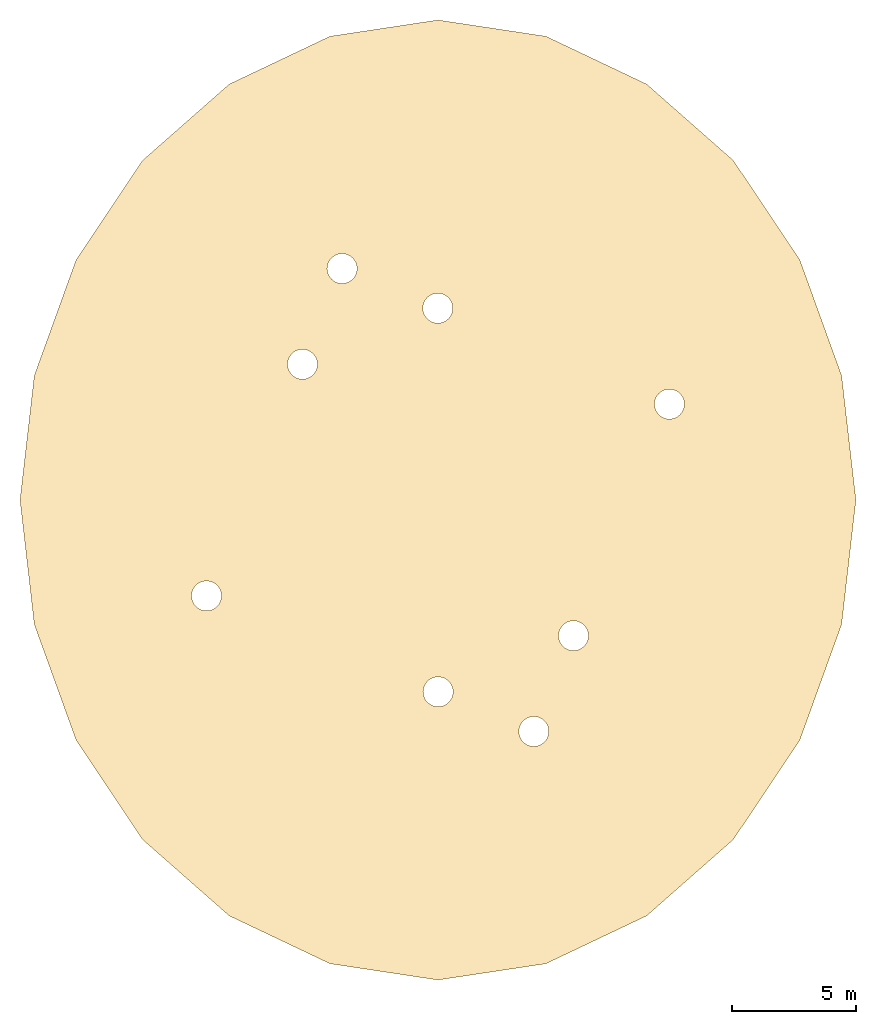
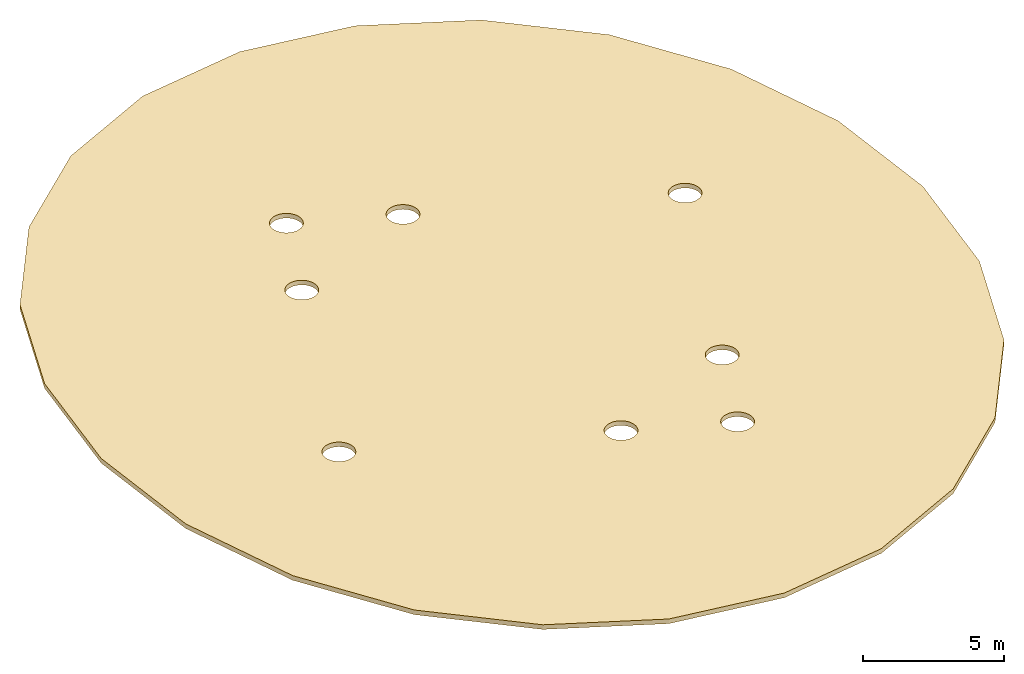
# One storey: 1 covering.
"""IFC4 building model written with IfcOpenShell, lengths in metres."""

import ifcopenshell
import ifcopenshell.guid

model = None  # the IFC model being written
_history = None  # IfcOwnerHistory: only IFC2X3 demands one
_inside = {}  # id of a spatial element -> (the spatial element, [elements in it])
_under = {}  # id of a project, library or spatial element -> (it, [spatial elements below it])
_declared = {}  # id of a project -> (the project, [libraries it declares])
_typed = {}  # id of a type object -> (the type object, [elements of that type])
_made_of = {}  # id of a material, layer set ... -> (it, [elements and type objects made of it])


def new_model(schema):
    """Start an empty IFC model of exactly this schema.

    Asked for "IFC4X3", IfcOpenShell would pick the latest addendum, in which some entities
    have other attributes; the version numbers below select the first issue.
    IFC2X3 requires an IfcOwnerHistory on every rooted entity: one is made here for all.
    """
    global model, _history
    if schema == "IFC4X3":
        model = ifcopenshell.file(schema_version=(4, 3, 0, 0))
    else:
        model = ifcopenshell.file(schema=schema)
    _inside.clear()
    _under.clear()
    _declared.clear()
    _typed.clear()
    _made_of.clear()
    _history = None
    if model.schema == "IFC2X3":
        org = make("IfcOrganization", Name="unknown")
        user = make(
            "IfcPersonAndOrganization",
            ThePerson=make("IfcPerson", FamilyName="unknown"),
            TheOrganization=org,
        )
        app = make(
            "IfcApplication",
            ApplicationDeveloper=org,
            Version="unknown",
            ApplicationFullName="unknown",
            ApplicationIdentifier="unknown",
        )
        _history = make(
            "IfcOwnerHistory",
            OwningUser=user,
            OwningApplication=app,
            ChangeAction="ADDED",
            CreationDate=0,
        )
    return model


def make(cls, **values):
    """One entity of the class cls with the attributes given. An attribute that is None is left unset."""
    return model.create_entity(
        cls, **{name: value for name, value in values.items() if value is not None}
    )


def rooted(cls, **values):
    """An entity with a GlobalId (a new one), such as an element, a storey or a relation."""
    return make(cls, GlobalId=ifcopenshell.guid.new(), OwnerHistory=_history, **values)


def si_unit(unit_type, name, prefix=None):
    """IfcSIUnit, for example si_unit("LENGTHUNIT", "METRE", prefix="MILLI")."""
    return make("IfcSIUnit", UnitType=unit_type, Prefix=prefix, Name=name)


def assignment(units):
    """IfcUnitAssignment: the units of a project."""
    return None if units is None else make("IfcUnitAssignment", Units=units)


def point(xyz):
    """IfcCartesianPoint."""
    return None if xyz is None else make("IfcCartesianPoint", Coordinates=xyz)


def direction(xyz):
    """IfcDirection."""
    return None if xyz is None else make("IfcDirection", DirectionRatios=xyz)


def frame(location, z_axis=None, x_axis=None):
    """IfcAxis2Placement3D, a coordinate frame: its origin and axes. An axis left out is left unset."""
    return make(
        "IfcAxis2Placement3D",
        Location=point(location),
        Axis=direction(z_axis),
        RefDirection=direction(x_axis),
    )


def origin():
    """The frame at (0, 0, 0) with its axes left unset."""
    return frame((0.0, 0.0, 0.0))


def place(relative_to, where):
    """IfcLocalPlacement: puts the frame where relative to a parent placement (None: the world)."""
    return make(
        "IfcLocalPlacement", PlacementRelTo=relative_to, RelativePlacement=where
    )


def context(
    kind, dimensions, precision=None, world=None, true_north=None, identifier=None
):
    """IfcGeometricRepresentationContext, for example the 3D "Model" context."""
    return make(
        "IfcGeometricRepresentationContext",
        ContextIdentifier=identifier,
        ContextType=kind,
        CoordinateSpaceDimension=dimensions,
        Precision=precision,
        WorldCoordinateSystem=world,
        TrueNorth=true_north,
    )


def subcontext(parent, identifier, kind, view, scale=None):
    """IfcGeometricRepresentationSubContext, for example "Body" below "Model"."""
    return make(
        "IfcGeometricRepresentationSubContext",
        ContextIdentifier=identifier,
        ContextType=kind,
        ParentContext=parent,
        TargetScale=scale,
        TargetView=view,
    )


def project(units=None, contexts=None):
    """IfcProject with its units and contexts."""
    return rooted(
        "IfcProject",
        Name="project",
        RepresentationContexts=contexts,
        UnitsInContext=assignment(units),
    )


def spatial(cls, under=None, at=None, **own):
    """A site, building, storey or space (cls), placed at a placement, below another one or the project."""
    s = rooted(cls, ObjectPlacement=at, **own)
    if under is not None:
        _under.setdefault(under.id(), (under, []))[1].append(s)
    return s


def polyline(points):
    """IfcPolyline through the points."""
    return make("IfcPolyline", Points=[point(p) for p in points])


def outline(outer, holes=None, kind="AREA"):
    """IfcArbitraryClosedProfileDef: a profile drawn as a closed curve; with holes, ...WithVoids."""
    if holes is None:
        return make("IfcArbitraryClosedProfileDef", ProfileType=kind, OuterCurve=outer)
    return make(
        "IfcArbitraryProfileDefWithVoids",
        ProfileType=kind,
        OuterCurve=outer,
        InnerCurves=holes,
    )


def extrude(swept, where, along, depth):
    """IfcExtrudedAreaSolid: the profile swept, set in the frame where, extruded along a direction by depth."""
    return make(
        "IfcExtrudedAreaSolid",
        SweptArea=swept,
        Position=where,
        ExtrudedDirection=direction(along),
        Depth=depth,
    )


def shape(context_of_items, identifier, shape_type, items):
    """IfcShapeRepresentation: the items that make up one representation, for example the "Body"."""
    return make(
        "IfcShapeRepresentation",
        ContextOfItems=context_of_items,
        RepresentationIdentifier=identifier,
        RepresentationType=shape_type,
        Items=items,
    )


def material(Name=None, Category=None):
    """IfcMaterial."""
    return make("IfcMaterial", Name=Name, Category=Category)


def layer(
    of_material, thickness, ventilated=None, Name=None, Category=None, Priority=None
):
    """IfcMaterialLayer: one layer of a wall or slab, of a material (None: an air gap)."""
    return make(
        "IfcMaterialLayer",
        Material=of_material,
        LayerThickness=thickness,
        IsVentilated=ventilated,
        Name=Name,
        Category=Category,
        Priority=Priority,
    )


def layer_set(layers, Name=None):
    """IfcMaterialLayerSet."""
    return make("IfcMaterialLayerSet", MaterialLayers=layers, LayerSetName=Name)


def made_of(thing, what):
    """Note that an element or type object is made of a material, layer set ...; save() writes the relation."""
    if what is not None:
        _made_of.setdefault(what.id(), (what, []))[1].append(thing)
    return thing


def type_object(cls, material=None, **own):
    """A type object (cls), such as IfcWallType, which elements share."""
    return made_of(rooted(cls, **own), material)


def element(
    cls,
    number,
    at=None,
    inside=None,
    cuts=None,
    type_object=None,
    material=None,
    context=None,
    identifier="Body",
    shape_type=None,
    held_by="IfcProductDefinitionShape",
    body=None,
    shapes=None,
    **own,
):
    """One element of the class cls, such as IfcWall. Its Tag is "e" and its number.

    at: its placement. inside: the storey or other place that contains it. cuts: it is an
    opening in that element (IfcRelVoidsElement). A single representation is given by context,
    identifier, shape_type and body (its items); several are given by shapes. held_by: the class
    of the entity that holds the representations. save() writes the other relations.
    """
    e = rooted(cls, Tag="e%d" % number, ObjectPlacement=at, **own)
    if body is not None:
        shapes = [shape(context, identifier, shape_type, body)]
    if shapes is not None:
        e.Representation = make(held_by, Representations=shapes)
    if inside is not None:
        _inside.setdefault(inside.id(), (inside, []))[1].append(e)
    if cuts is not None:
        rooted(
            "IfcRelVoidsElement", RelatingBuildingElement=cuts, RelatedOpeningElement=e
        )
    if type_object is not None:
        _typed.setdefault(type_object.id(), (type_object, []))[1].append(e)
    return made_of(e, material)


def aggregate(whole, parts):
    """IfcRelAggregates: a whole, such as a stair, and the parts it consists of."""
    return rooted("IfcRelAggregates", RelatingObject=whole, RelatedObjects=parts)


def save(model, path):
    """Write the relations noted so far, then the file.

    IfcRelAggregates (storeys below a building ...), IfcRelContainedInSpatialStructure (elements
    in a storey), IfcRelDefinesByType, IfcRelAssociatesMaterial and IfcRelDeclares: one each for
    every whole, place, type object, material and project.
    """
    for whole, parts in _under.values():
        aggregate(whole, parts)
    for where, things in _inside.values():
        rooted(
            "IfcRelContainedInSpatialStructure",
            RelatedElements=things,
            RelatingStructure=where,
        )
    for kind, things in _typed.values():
        rooted("IfcRelDefinesByType", RelatedObjects=things, RelatingType=kind)
    for what, things in _made_of.values():
        rooted("IfcRelAssociatesMaterial", RelatedObjects=things, RelatingMaterial=what)
    for by, libraries in _declared.values():
        rooted("IfcRelDeclares", RelatingContext=by, RelatedDefinitions=libraries)
    model.write(path)


model = new_model("IFC4")

# Units and contexts
model_context = context("Model", 3, precision=1e-05, world=origin(), true_north=direction((0.0, 1.0)))
body_context = subcontext(model_context, "Body", "Model", "MODEL_VIEW")
ifc_project = project(units=[si_unit("LENGTHUNIT", "METRE"), si_unit("AREAUNIT", "SQUARE_METRE"), si_unit("VOLUMEUNIT", "CUBIC_METRE"), si_unit("PLANEANGLEUNIT", "RADIAN"), si_unit("MASSUNIT", "GRAM", prefix="KILO")], contexts=[model_context])

# Site, building, storey
site_placement = place(None, origin())
site = spatial("IfcSite", under=ifc_project, at=site_placement, CompositionType="ELEMENT")
building_placement = place(site_placement, origin())
building = spatial("IfcBuilding", under=site, at=building_placement, Name="Nagisa Residences", CompositionType="ELEMENT")
storey_placement = place(building_placement, frame((0.0, 0.0, 360.0)))
storey = spatial("IfcBuildingStorey", under=building, at=storey_placement, Name="ROOF", CompositionType="ELEMENT", Elevation=360.0)

# Covering
ifc_material = material(Name="Standing-seam aluminium roofing", Category="aluminium")
ifc_layer = layer(ifc_material, 0.199951171875)
ifc_layer_set = layer_set([ifc_layer], Name="MAST HOUSE ROOFING")
covering_type = type_object("IfcCoveringType", Name="MAST HOUSE ROOFING", PredefinedType="ROOFING", material=ifc_layer_set)
covering_placement = place(storey_placement, frame((0.0, 0.0, -0.199951171875)))
element("IfcCovering", 1, at=covering_placement, inside=storey, type_object=covering_type, Name="covering:L84:masthouse", PredefinedType="ROOFING", context=body_context, shape_type="SweptSolid", body=[
    extrude(outline(polyline([(16.261962890625, -5.009765625), (14.57666015625, -9.67626953125), (11.89794921875, -13.680908203125), (8.409912109375, -16.7509765625), (4.35205078125, -18.678955078125), (0.0, -19.336181640625), (-4.35205078125, -18.678955078125), (-8.409912109375, -16.7509765625), (-11.89794921875, -13.680908203125), (-14.57666015625, -9.67626953125), (-16.261962890625, -5.009765625), (-16.8369140625, 0.0), (-16.261962890625, 5.009765625), (-14.57666015625, 9.67626953125), (-11.89794921875, 13.680908203125), (-8.409912109375, 16.7509765625), (-4.35205078125, 18.678955078125), (0.0, 19.336181640625), (4.35205078125, 18.678955078125), (8.409912109375, 16.7509765625), (11.89794921875, 13.680908203125), (14.57666015625, 9.67626953125), (16.261962890625, 5.009765625), (16.8369140625, 0.0), (16.261962890625, -5.009765625)]), holes=[polyline([(4.44140625, -9.478515625), (4.45654296875, -9.401611328125), (4.461669921875, -9.3232421875), (4.45654296875, -9.244873046875), (4.44140625, -9.16796875), (4.416015625, -9.093505859375), (4.38134765625, -9.023193359375), (4.337890625, -8.9580078125), (4.2861328125, -8.89892578125), (4.22705078125, -8.84716796875), (4.161865234375, -8.803466796875), (4.09130859375, -8.768798828125), (4.01708984375, -8.74365234375), (3.940185546875, -8.728271484375), (3.86181640625, -8.72314453125), (3.783447265625, -8.728271484375), (3.70654296875, -8.74365234375), (3.632080078125, -8.768798828125), (3.561767578125, -8.803466796875), (3.49658203125, -8.84716796875), (3.4375, -8.89892578125), (3.3857421875, -8.9580078125), (3.34228515625, -9.023193359375), (3.307373046875, -9.093505859375), (3.2822265625, -9.16796875), (3.266845703125, -9.244873046875), (3.26171875, -9.3232421875), (3.266845703125, -9.401611328125), (3.2822265625, -9.478515625), (3.307373046875, -9.552734375), (3.34228515625, -9.623291015625), (3.3857421875, -9.6884765625), (3.4375, -9.74755859375), (3.49658203125, -9.799072265625), (3.561767578125, -9.8427734375), (3.632080078125, -9.87744140625), (3.70654296875, -9.90283203125), (3.783447265625, -9.91796875), (3.86181640625, -9.923095703125), (3.940185546875, -9.91796875), (4.01708984375, -9.90283203125), (4.09130859375, -9.87744140625), (4.161865234375, -9.8427734375), (4.22705078125, -9.799072265625), (4.2861328125, -9.74755859375), (4.337890625, -9.6884765625), (4.38134765625, -9.623291015625), (4.416015625, -9.552734375), (4.44140625, -9.478515625)]), polyline([(0.586181640625, -7.881591796875), (0.6015625, -7.8046875), (0.606689453125, -7.726318359375), (0.6015625, -7.64794921875), (0.586181640625, -7.571044921875), (0.56103515625, -7.496826171875), (0.526123046875, -7.42626953125), (0.482666015625, -7.361083984375), (0.430908203125, -7.302001953125), (0.371826171875, -7.250244140625), (0.306640625, -7.206787109375), (0.236328125, -7.171875), (0.161865234375, -7.146728515625), (0.0849609375, -7.13134765625), (0.006591796875, -7.126220703125), (-0.07177734375, -7.13134765625), (-0.148681640625, -7.146728515625), (-0.222900390625, -7.171875), (-0.29345703125, -7.206787109375), (-0.358642578125, -7.250244140625), (-0.417724609375, -7.302001953125), (-0.469482421875, -7.361083984375), (-0.512939453125, -7.42626953125), (-0.547607421875, -7.496826171875), (-0.572998046875, -7.571044921875), (-0.58837890625, -7.64794921875), (-0.593505859375, -7.726318359375), (-0.58837890625, -7.8046875), (-0.572998046875, -7.881591796875), (-0.547607421875, -7.955810546875), (-0.512939453125, -8.0263671875), (-0.469482421875, -8.091552734375), (-0.417724609375, -8.150634765625), (-0.358642578125, -8.202392578125), (-0.29345703125, -8.245849609375), (-0.222900390625, -8.28076171875), (-0.148681640625, -8.305908203125), (-0.07177734375, -8.3212890625), (0.006591796875, -8.326416015625), (0.0849609375, -8.3212890625), (0.161865234375, -8.305908203125), (0.236328125, -8.28076171875), (0.306640625, -8.245849609375), (0.371826171875, -8.202392578125), (0.430908203125, -8.150634765625), (0.482666015625, -8.091552734375), (0.526123046875, -8.0263671875), (0.56103515625, -7.955810546875), (0.586181640625, -7.881591796875)]), polyline([(6.038330078125, -5.623291015625), (6.053466796875, -5.54638671875), (6.05859375, -5.468017578125), (6.053466796875, -5.3896484375), (6.038330078125, -5.312744140625), (6.012939453125, -5.23828125), (5.978271484375, -5.16796875), (5.9345703125, -5.102783203125), (5.8828125, -5.043701171875), (5.823974609375, -4.991943359375), (5.758544921875, -4.948486328125), (5.688232421875, -4.91357421875), (5.614013671875, -4.888427734375), (5.536865234375, -4.873046875), (5.458740234375, -4.867919921875), (5.38037109375, -4.873046875), (5.303466796875, -4.888427734375), (5.22900390625, -4.91357421875), (5.15869140625, -4.948486328125), (5.093505859375, -4.991943359375), (5.034423828125, -5.043701171875), (4.982666015625, -5.102783203125), (4.93896484375, -5.16796875), (4.904296875, -5.23828125), (4.879150390625, -5.312744140625), (4.86376953125, -5.3896484375), (4.858642578125, -5.468017578125), (4.86376953125, -5.54638671875), (4.879150390625, -5.623291015625), (4.904296875, -5.697509765625), (4.93896484375, -5.76806640625), (4.982666015625, -5.833251953125), (5.034423828125, -5.892333984375), (5.093505859375, -5.944091796875), (5.15869140625, -5.987548828125), (5.22900390625, -6.022216796875), (5.303466796875, -6.047607421875), (5.38037109375, -6.06298828125), (5.458740234375, -6.068115234375), (5.536865234375, -6.06298828125), (5.614013671875, -6.047607421875), (5.688232421875, -6.022216796875), (5.758544921875, -5.987548828125), (5.823974609375, -5.944091796875), (5.8828125, -5.892333984375), (5.9345703125, -5.833251953125), (5.978271484375, -5.76806640625), (6.012939453125, -5.697509765625), (6.038330078125, -5.623291015625)]), polyline([(-8.74365234375, -4.01708984375), (-8.728271484375, -3.940185546875), (-8.72314453125, -3.86181640625), (-8.728271484375, -3.783447265625), (-8.74365234375, -3.70654296875), (-8.768798828125, -3.632080078125), (-8.803466796875, -3.561767578125), (-8.84716796875, -3.49658203125), (-8.89892578125, -3.4375), (-8.9580078125, -3.3857421875), (-9.023193359375, -3.34228515625), (-9.093505859375, -3.307373046875), (-9.16796875, -3.2822265625), (-9.244873046875, -3.266845703125), (-9.3232421875, -3.26171875), (-9.401611328125, -3.266845703125), (-9.478515625, -3.2822265625), (-9.552734375, -3.307373046875), (-9.623291015625, -3.34228515625), (-9.6884765625, -3.3857421875), (-9.74755859375, -3.4375), (-9.799072265625, -3.49658203125), (-9.8427734375, -3.561767578125), (-9.87744140625, -3.632080078125), (-9.90283203125, -3.70654296875), (-9.91796875, -3.783447265625), (-9.923095703125, -3.86181640625), (-9.91796875, -3.940185546875), (-9.90283203125, -4.01708984375), (-9.87744140625, -4.09130859375), (-9.8427734375, -4.161865234375), (-9.799072265625, -4.22705078125), (-9.74755859375, -4.2861328125), (-9.6884765625, -4.337890625), (-9.623291015625, -4.38134765625), (-9.552734375, -4.416015625), (-9.478515625, -4.44140625), (-9.401611328125, -4.45654296875), (-9.3232421875, -4.461669921875), (-9.244873046875, -4.45654296875), (-9.16796875, -4.44140625), (-9.093505859375, -4.416015625), (-9.023193359375, -4.38134765625), (-8.9580078125, -4.337890625), (-8.89892578125, -4.2861328125), (-8.84716796875, -4.22705078125), (-8.803466796875, -4.161865234375), (-8.768798828125, -4.09130859375), (-8.74365234375, -4.01708984375)]), polyline([(9.90283203125, 3.70654296875), (9.91796875, 3.783447265625), (9.923095703125, 3.86181640625), (9.91796875, 3.940185546875), (9.90283203125, 4.01708984375), (9.87744140625, 4.09130859375), (9.8427734375, 4.161865234375), (9.799072265625, 4.22705078125), (9.74755859375, 4.2861328125), (9.6884765625, 4.337890625), (9.623291015625, 4.38134765625), (9.552734375, 4.416015625), (9.478515625, 4.44140625), (9.401611328125, 4.45654296875), (9.3232421875, 4.461669921875), (9.244873046875, 4.45654296875), (9.16796875, 4.44140625), (9.093505859375, 4.416015625), (9.023193359375, 4.38134765625), (8.9580078125, 4.337890625), (8.89892578125, 4.2861328125), (8.84716796875, 4.22705078125), (8.803466796875, 4.161865234375), (8.768798828125, 4.09130859375), (8.74365234375, 4.01708984375), (8.728271484375, 3.940185546875), (8.72314453125, 3.86181640625), (8.728271484375, 3.783447265625), (8.74365234375, 3.70654296875), (8.768798828125, 3.632080078125), (8.803466796875, 3.561767578125), (8.84716796875, 3.49658203125), (8.89892578125, 3.4375), (8.9580078125, 3.3857421875), (9.023193359375, 3.34228515625), (9.093505859375, 3.307373046875), (9.16796875, 3.2822265625), (9.244873046875, 3.266845703125), (9.3232421875, 3.26171875), (9.401611328125, 3.266845703125), (9.478515625, 3.2822265625), (9.552734375, 3.307373046875), (9.623291015625, 3.34228515625), (9.6884765625, 3.3857421875), (9.74755859375, 3.4375), (9.799072265625, 3.49658203125), (9.8427734375, 3.561767578125), (9.87744140625, 3.632080078125), (9.90283203125, 3.70654296875)]), polyline([(-4.879150390625, 5.312744140625), (-4.86376953125, 5.3896484375), (-4.858642578125, 5.468017578125), (-4.86376953125, 5.54638671875), (-4.879150390625, 5.623291015625), (-4.904296875, 5.697509765625), (-4.93896484375, 5.76806640625), (-4.982666015625, 5.833251953125), (-5.034423828125, 5.892333984375), (-5.093505859375, 5.944091796875), (-5.15869140625, 5.987548828125), (-5.22900390625, 6.022216796875), (-5.303466796875, 6.047607421875), (-5.38037109375, 6.06298828125), (-5.458740234375, 6.068115234375), (-5.536865234375, 6.06298828125), (-5.614013671875, 6.047607421875), (-5.688232421875, 6.022216796875), (-5.758544921875, 5.987548828125), (-5.823974609375, 5.944091796875), (-5.8828125, 5.892333984375), (-5.9345703125, 5.833251953125), (-5.978271484375, 5.76806640625), (-6.012939453125, 5.697509765625), (-6.038330078125, 5.623291015625), (-6.053466796875, 5.54638671875), (-6.05859375, 5.468017578125), (-6.053466796875, 5.3896484375), (-6.038330078125, 5.312744140625), (-6.012939453125, 5.23828125), (-5.978271484375, 5.16796875), (-5.9345703125, 5.102783203125), (-5.8828125, 5.043701171875), (-5.823974609375, 4.991943359375), (-5.758544921875, 4.948486328125), (-5.688232421875, 4.91357421875), (-5.614013671875, 4.888427734375), (-5.536865234375, 4.873046875), (-5.458740234375, 4.867919921875), (-5.38037109375, 4.873046875), (-5.303466796875, 4.888427734375), (-5.22900390625, 4.91357421875), (-5.15869140625, 4.948486328125), (-5.093505859375, 4.991943359375), (-5.034423828125, 5.043701171875), (-4.982666015625, 5.102783203125), (-4.93896484375, 5.16796875), (-4.904296875, 5.23828125), (-4.879150390625, 5.312744140625)]), polyline([(0.572998046875, 7.571044921875), (0.58837890625, 7.64794921875), (0.593505859375, 7.726318359375), (0.58837890625, 7.8046875), (0.572998046875, 7.881591796875), (0.547607421875, 7.955810546875), (0.512939453125, 8.0263671875), (0.469482421875, 8.091552734375), (0.417724609375, 8.150634765625), (0.358642578125, 8.202392578125), (0.29345703125, 8.245849609375), (0.222900390625, 8.28076171875), (0.148681640625, 8.305908203125), (0.07177734375, 8.3212890625), (-0.006591796875, 8.326416015625), (-0.0849609375, 8.3212890625), (-0.161865234375, 8.305908203125), (-0.236328125, 8.28076171875), (-0.306640625, 8.245849609375), (-0.371826171875, 8.202392578125), (-0.430908203125, 8.150634765625), (-0.482666015625, 8.091552734375), (-0.526123046875, 8.0263671875), (-0.56103515625, 7.955810546875), (-0.586181640625, 7.881591796875), (-0.6015625, 7.8046875), (-0.606689453125, 7.726318359375), (-0.6015625, 7.64794921875), (-0.586181640625, 7.571044921875), (-0.56103515625, 7.496826171875), (-0.526123046875, 7.42626953125), (-0.482666015625, 7.361083984375), (-0.430908203125, 7.302001953125), (-0.371826171875, 7.250244140625), (-0.306640625, 7.206787109375), (-0.236328125, 7.171875), (-0.161865234375, 7.146728515625), (-0.0849609375, 7.13134765625), (-0.006591796875, 7.126220703125), (0.07177734375, 7.13134765625), (0.148681640625, 7.146728515625), (0.222900390625, 7.171875), (0.29345703125, 7.206787109375), (0.358642578125, 7.250244140625), (0.417724609375, 7.302001953125), (0.469482421875, 7.361083984375), (0.512939453125, 7.42626953125), (0.547607421875, 7.496826171875), (0.572998046875, 7.571044921875)]), polyline([(-3.2822265625, 9.16796875), (-3.266845703125, 9.244873046875), (-3.26171875, 9.3232421875), (-3.266845703125, 9.401611328125), (-3.2822265625, 9.478515625), (-3.307373046875, 9.552734375), (-3.34228515625, 9.623291015625), (-3.3857421875, 9.6884765625), (-3.4375, 9.74755859375), (-3.49658203125, 9.799072265625), (-3.561767578125, 9.8427734375), (-3.632080078125, 9.87744140625), (-3.70654296875, 9.90283203125), (-3.783447265625, 9.91796875), (-3.86181640625, 9.923095703125), (-3.940185546875, 9.91796875), (-4.01708984375, 9.90283203125), (-4.09130859375, 9.87744140625), (-4.161865234375, 9.8427734375), (-4.22705078125, 9.799072265625), (-4.2861328125, 9.74755859375), (-4.337890625, 9.6884765625), (-4.38134765625, 9.623291015625), (-4.416015625, 9.552734375), (-4.44140625, 9.478515625), (-4.45654296875, 9.401611328125), (-4.461669921875, 9.3232421875), (-4.45654296875, 9.244873046875), (-4.44140625, 9.16796875), (-4.416015625, 9.093505859375), (-4.38134765625, 9.023193359375), (-4.337890625, 8.9580078125), (-4.2861328125, 8.89892578125), (-4.22705078125, 8.84716796875), (-4.161865234375, 8.803466796875), (-4.09130859375, 8.768798828125), (-4.01708984375, 8.74365234375), (-3.940185546875, 8.728271484375), (-3.86181640625, 8.72314453125), (-3.783447265625, 8.728271484375), (-3.70654296875, 8.74365234375), (-3.632080078125, 8.768798828125), (-3.561767578125, 8.803466796875), (-3.49658203125, 8.84716796875), (-3.4375, 8.89892578125), (-3.3857421875, 8.9580078125), (-3.34228515625, 9.023193359375), (-3.307373046875, 9.093505859375), (-3.2822265625, 9.16796875)])]), origin(), (0.0, 0.0, 1.0), 0.199951171875),
])

save(model, "model.ifc")
